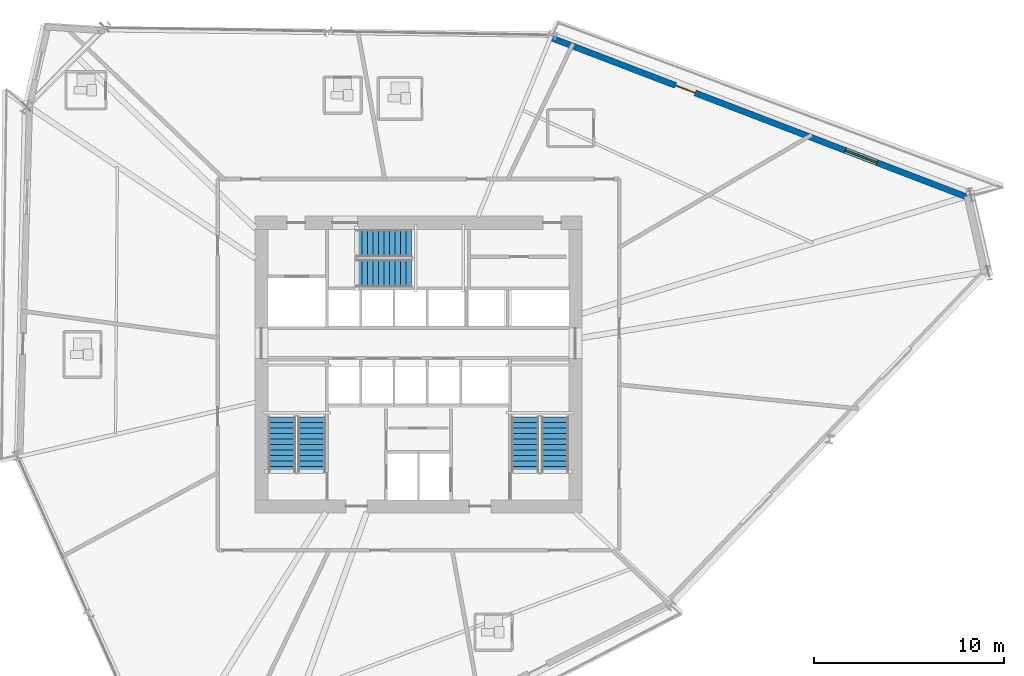
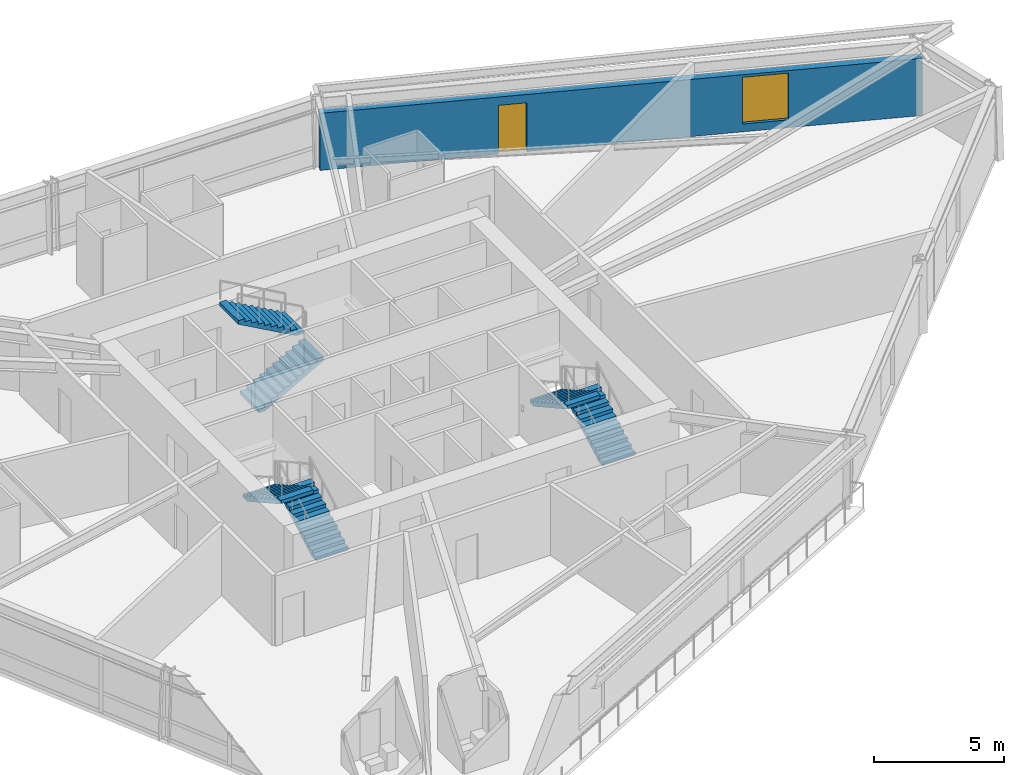
# One storey, part 17 of 22: 6 stair flights, 1 door, 1 wall, 1 window, 2 openings, 3 elements without a shape of their own.
"""IFC4 building model written with IfcOpenShell, lengths in metres."""

from ifc_helpers import new_model, si_unit, direction, frame, frame_2d, origin, place, context, subcontext, project, spatial, polyline, rectangle, outline, extrude, source, transform, mapped, material, layer, layer_set, type_object, type_shapes, element, fill, aggregate, save


model = new_model("IFC4")

# Units and contexts
model_context = context("Model", 3, precision=1e-05, world=origin(), true_north=direction((0.0, 1.0)))
body_context = subcontext(model_context, "Body", "Model", "MODEL_VIEW")
ifc_project = project(units=[si_unit("LENGTHUNIT", "METRE"), si_unit("AREAUNIT", "SQUARE_METRE"), si_unit("VOLUMEUNIT", "CUBIC_METRE"), si_unit("PLANEANGLEUNIT", "RADIAN"), si_unit("MASSUNIT", "GRAM", prefix="KILO")], contexts=[model_context])

# Site, building, storey
site_placement = place(None, origin())
site = spatial("IfcSite", under=ifc_project, at=site_placement, CompositionType="ELEMENT")
building_placement = place(site_placement, origin())
building = spatial("IfcBuilding", under=site, at=building_placement, Name="Olszyna Solenne Hotel", CompositionType="ELEMENT")
storey_placement = place(building_placement, frame((0.0, 0.0, 87.949951171875)))
storey = spatial("IfcBuildingStorey", under=building, at=storey_placement, Name="L22", CompositionType="ELEMENT", Elevation=87.949951171875)

# Wall, openings, door, window
ifc_material_1 = material(Name="Precast concrete C45/55", Category="concrete")
ifc_layer = layer(ifc_material_1, 0.320068359375, Name="Precast concrete C45/55")
ifc_layer_set = layer_set([ifc_layer], Name="Precast concrete C45/55")
wall_type = type_object("IfcWallType", Name="WL-EX320", PredefinedType="SOLIDWALL", material=ifc_layer_set)
wall_placement = place(storey_placement, frame((44.990478515625, 43.770263671875, 0.0), z_axis=(0.0, 0.0, 1.0), x_axis=(0.93383383218, -0.357707106271, 0.0)))
wall = element("IfcWall", 1, at=wall_placement, inside=storey, type_object=wall_type, Name="Exterior terracotta-precast frame wall WL-EX320 EW-L22-08", PredefinedType="SOLIDWALL", context=body_context, shape_type="SweptSolid", body=[
    extrude(rectangle(XDim=23.54345703125, YDim=0.320068359375, at=frame_2d((11.771728515625, 0.0))), origin(), (0.0, 0.0, 1.0), 2.692138671875),
])
opening_1_placement = place(wall_placement, frame((6.98388671875, 0.0, 0.0)))
opening_1 = element("IfcOpeningElement", 2, at=opening_1_placement, cuts=wall, Name="Opening LDG-L22-1", PredefinedType="OPENING", context=body_context, shape_type="SweptSolid", body=[
    extrude(rectangle(XDim=1.10009765625, YDim=2.300048828125, at=frame_2d((0.550048828125, 1.14990234375))), frame((0.0, 0.169921875, 0.0), z_axis=(0.0, -1.0, 0.0), x_axis=(1.0, 0.0, 0.0)), (0.0, 0.0, 1.0), 0.340087890625),
])
opening_2_placement = place(wall_placement, frame((16.52197265625, 0.0, 0.3720703125)))
opening_2 = element("IfcOpeningElement", 3, at=opening_2_placement, cuts=wall, Name="Opening WN-L22-118", PredefinedType="OPENING", context=body_context, shape_type="SweptSolid", body=[
    extrude(rectangle(XDim=1.800048828125, YDim=2.199951171875, at=frame_2d((0.89990234375, 1.10009765625))), frame((0.0, 0.169921875, 0.0), z_axis=(0.0, -1.0, 0.0), x_axis=(1.0, 0.0, 0.0)), (0.0, 0.0, 1.0), 0.340087890625),
])
ifc_material_2 = material(Name="Anodised bronze aluminium", Category="aluminium")
door_type = type_object("IfcDoorType", Name="DR-LG1", OperationType="NOTDEFINED", PredefinedType="DOOR", material=ifc_material_2)
shared_shape_1 = source(origin(), body_context, "Body", "SweptSolid", [
    extrude(rectangle(XDim=1.10009765625, YDim=2.300048828125, at=frame_2d((0.550048828125, 1.14990234375))), frame((0.0, 0.02490234375, 0.0), z_axis=(0.0, -1.0, 0.0), x_axis=(1.0, 0.0, 0.0)), (0.0, 0.0, 1.0), 0.050048828125),
])
type_shapes(door_type, [shared_shape_1])
door_placement = place(opening_1_placement, origin())
door = element("IfcDoor", 4, at=door_placement, inside=storey, type_object=door_type, Name="Exterior loggia balcony door DR-LG1 LDG-L22-1", OperationType="SINGLE_SWING_RIGHT", OverallHeight=2.300048828125, OverallWidth=1.10009765625, PredefinedType="DOOR", context=body_context, shape_type="MappedRepresentation", body=[
    mapped(shared_shape_1, transform((0.0, 0.0, 0.0), x_axis=(1.0, 0.0, 0.0), y_axis=(0.0, 1.0, 0.0), z_axis=(0.0, 0.0, 1.0), scale=1.0)),
])
fill(opening_1, door)
ifc_material_3 = material(Name="Low-E triple glazing", Category="glass")
window_type = type_object("IfcWindowType", Name="WN-HT1", PartitioningType="SINGLE_PANEL", PredefinedType="WINDOW", material=ifc_material_3)
shared_shape_2 = source(origin(), body_context, "Body", "SweptSolid", [
    extrude(rectangle(XDim=1.800048828125, YDim=2.199951171875, at=frame_2d((0.89990234375, 1.10009765625))), frame((0.0, 0.030029296875, 0.0), z_axis=(0.0, -1.0, 0.0), x_axis=(1.0, 0.0, 0.0)), (0.0, 0.0, 1.0), 0.06005859375),
])
type_shapes(window_type, [shared_shape_2])
window_placement = place(opening_2_placement, origin())
window = element("IfcWindow", 5, at=window_placement, inside=storey, type_object=window_type, Name="Loggia room window WN-HT1 WN-L22-118", OverallHeight=2.199951171875, OverallWidth=1.800048828125, PartitioningType="SINGLE_PANEL", PredefinedType="WINDOW", context=body_context, shape_type="MappedRepresentation", body=[
    mapped(shared_shape_2, transform((0.0, 0.0, 0.0), x_axis=(1.0, 0.0, 0.0), y_axis=(0.0, 1.0, 0.0), z_axis=(0.0, 0.0, 1.0), scale=1.0)),
])
fill(opening_2, window)

# Stair, stair flights
ifc_material_4 = material(Name="Concrete C40/50", Category="concrete")
stair_type = type_object("IfcStairType", Name="STR-C1", PredefinedType="TWO_QUARTER_WINDING_STAIR", material=ifc_material_4)
stair_1_placement = place(storey_placement, origin())
stair_1 = element("IfcStair", 6, at=stair_1_placement, inside=storey, type_object=stair_type, Name="L22 ST1", PredefinedType="TWO_QUARTER_WINDING_STAIR")
stair_flight_type = type_object("IfcStairFlightType", Name="FLT-C1", PredefinedType="STRAIGHT", material=ifc_material_4)
stair_flight_1_placement = place(storey_placement, frame((32.39501953125, 20.949951171875, 0.0), z_axis=(0.0, 0.0, 1.0), x_axis=(0.0, 1.0, 0.0)))
stair_flight_1 = element("IfcStairFlight", 7, at=stair_flight_1_placement, type_object=stair_flight_type, Name="ST1 flight 1", NumberOfRisers=11, NumberOfTreads=10, PredefinedType="STRAIGHT", RiserHeight=0.161363636, TreadLength=0.29, context=body_context, shape_type="SweptSolid", body=[
    extrude(outline(polyline([(0.0, 0.0), (0.0, 0.161376953125), (0.2900390625, 0.161376953125), (0.2900390625, 0.32275390625), (0.580078125, 0.32275390625), (0.580078125, 0.484130859375), (0.8701171875, 0.484130859375), (0.8701171875, 0.6455078125), (1.159912109375, 0.6455078125), (1.159912109375, 0.806884765625), (1.449951171875, 0.806884765625), (1.449951171875, 0.96826171875), (1.739990234375, 0.96826171875), (1.739990234375, 1.129638671875), (2.030029296875, 1.129638671875), (2.030029296875, 1.291015625), (2.320068359375, 1.291015625), (2.320068359375, 1.452392578125), (2.610107421875, 1.452392578125), (2.610107421875, 1.613525390625), (2.89990234375, 1.613525390625), (2.89990234375, 1.77490234375), (2.89990234375, 1.442138671875), (0.308349609375, 0.0), (0.0, 0.0)])), frame((0.0, 0.72509765625, 0.0), z_axis=(0.0, -1.0, 0.0), x_axis=(1.0, 0.0, 0.0)), (0.0, 0.0, 1.0), 1.449951171875),
])
stair_flight_2_placement = place(storey_placement, frame((30.824951171875, 23.85009765625, 1.775146484375), z_axis=(0.0, 0.0, 1.0), x_axis=(0.0, -1.0, 0.0)))
stair_flight_2 = element("IfcStairFlight", 8, at=stair_flight_2_placement, type_object=stair_flight_type, Name="ST1 flight 2", NumberOfRisers=11, NumberOfTreads=10, PredefinedType="STRAIGHT", RiserHeight=0.161363636, TreadLength=0.29, context=body_context, shape_type="SweptSolid", body=[
    extrude(outline(polyline([(0.0, 0.0), (0.0, 0.161376953125), (0.2900390625, 0.161376953125), (0.2900390625, 0.32275390625), (0.580078125, 0.32275390625), (0.580078125, 0.484130859375), (0.8701171875, 0.484130859375), (0.8701171875, 0.6455078125), (1.159912109375, 0.6455078125), (1.159912109375, 0.806884765625), (1.449951171875, 0.806884765625), (1.449951171875, 0.96826171875), (1.739990234375, 0.96826171875), (1.739990234375, 1.129638671875), (2.030029296875, 1.129638671875), (2.030029296875, 1.291015625), (2.320068359375, 1.291015625), (2.320068359375, 1.452392578125), (2.610107421875, 1.452392578125), (2.610107421875, 1.613525390625), (2.89990234375, 1.613525390625), (2.89990234375, 1.77490234375), (2.89990234375, 1.442138671875), (0.308349609375, 0.0), (0.0, 0.0)])), frame((0.0, 0.72509765625, 0.0), z_axis=(0.0, -1.0, 0.0), x_axis=(1.0, 0.0, 0.0)), (0.0, 0.0, 1.0), 1.449951171875),
])
aggregate(stair_1, [stair_flight_1, stair_flight_2])

stair_2_placement = place(storey_placement, origin())
stair_2 = element("IfcStair", 9, at=stair_2_placement, inside=storey, type_object=stair_type, Name="L22 ST2", PredefinedType="TWO_QUARTER_WINDING_STAIR")
stair_flight_3_placement = place(storey_placement, frame((45.175048828125, 20.949951171875, 0.0), z_axis=(0.0, 0.0, 1.0), x_axis=(0.0, 1.0, 0.0)))
stair_flight_3 = element("IfcStairFlight", 10, at=stair_flight_3_placement, type_object=stair_flight_type, Name="ST2 flight 1", NumberOfRisers=11, NumberOfTreads=10, PredefinedType="STRAIGHT", RiserHeight=0.161363636, TreadLength=0.29, context=body_context, shape_type="SweptSolid", body=[
    extrude(outline(polyline([(0.0, 0.0), (0.0, 0.161376953125), (0.2900390625, 0.161376953125), (0.2900390625, 0.32275390625), (0.580078125, 0.32275390625), (0.580078125, 0.484130859375), (0.8701171875, 0.484130859375), (0.8701171875, 0.6455078125), (1.159912109375, 0.6455078125), (1.159912109375, 0.806884765625), (1.449951171875, 0.806884765625), (1.449951171875, 0.96826171875), (1.739990234375, 0.96826171875), (1.739990234375, 1.129638671875), (2.030029296875, 1.129638671875), (2.030029296875, 1.291015625), (2.320068359375, 1.291015625), (2.320068359375, 1.452392578125), (2.610107421875, 1.452392578125), (2.610107421875, 1.613525390625), (2.89990234375, 1.613525390625), (2.89990234375, 1.77490234375), (2.89990234375, 1.442138671875), (0.308349609375, 0.0), (0.0, 0.0)])), frame((0.0, 0.72509765625, 0.0), z_axis=(0.0, -1.0, 0.0), x_axis=(1.0, 0.0, 0.0)), (0.0, 0.0, 1.0), 1.449951171875),
])
stair_flight_4_placement = place(storey_placement, frame((43.60498046875, 23.85009765625, 1.775146484375), z_axis=(0.0, 0.0, 1.0), x_axis=(0.0, -1.0, 0.0)))
stair_flight_4 = element("IfcStairFlight", 11, at=stair_flight_4_placement, type_object=stair_flight_type, Name="ST2 flight 2", NumberOfRisers=11, NumberOfTreads=10, PredefinedType="STRAIGHT", RiserHeight=0.161363636, TreadLength=0.29, context=body_context, shape_type="SweptSolid", body=[
    extrude(outline(polyline([(0.0, 0.0), (0.0, 0.161376953125), (0.2900390625, 0.161376953125), (0.2900390625, 0.32275390625), (0.580078125, 0.32275390625), (0.580078125, 0.484130859375), (0.8701171875, 0.484130859375), (0.8701171875, 0.6455078125), (1.159912109375, 0.6455078125), (1.159912109375, 0.806884765625), (1.449951171875, 0.806884765625), (1.449951171875, 0.96826171875), (1.739990234375, 0.96826171875), (1.739990234375, 1.129638671875), (2.030029296875, 1.129638671875), (2.030029296875, 1.291015625), (2.320068359375, 1.291015625), (2.320068359375, 1.452392578125), (2.610107421875, 1.452392578125), (2.610107421875, 1.613525390625), (2.89990234375, 1.613525390625), (2.89990234375, 1.77490234375), (2.89990234375, 1.442138671875), (0.308349609375, 0.0), (0.0, 0.0)])), frame((0.0, 0.72509765625, 0.0), z_axis=(0.0, -1.0, 0.0), x_axis=(1.0, 0.0, 0.0)), (0.0, 0.0, 1.0), 1.449951171875),
])
aggregate(stair_2, [stair_flight_3, stair_flight_4])

stair_3_placement = place(storey_placement, origin())
stair_3 = element("IfcStair", 12, at=stair_3_placement, inside=storey, type_object=stair_type, Name="L22 ST3", PredefinedType="TWO_QUARTER_WINDING_STAIR")
stair_flight_5_placement = place(storey_placement, frame((34.72998046875, 31.405029296875, 0.0), z_axis=(0.0, 0.0, 1.0), x_axis=(1.0, 0.0, 0.0)))
stair_flight_5 = element("IfcStairFlight", 13, at=stair_flight_5_placement, type_object=stair_flight_type, Name="ST3 flight 1", NumberOfRisers=11, NumberOfTreads=10, PredefinedType="STRAIGHT", RiserHeight=0.161363636, TreadLength=0.29, context=body_context, shape_type="SweptSolid", body=[
    extrude(outline(polyline([(0.0, 0.0), (0.0, 0.161376953125), (0.2900390625, 0.161376953125), (0.2900390625, 0.32275390625), (0.580078125, 0.32275390625), (0.580078125, 0.484130859375), (0.8701171875, 0.484130859375), (0.8701171875, 0.6455078125), (1.159912109375, 0.6455078125), (1.159912109375, 0.806884765625), (1.449951171875, 0.806884765625), (1.449951171875, 0.96826171875), (1.739990234375, 0.96826171875), (1.739990234375, 1.129638671875), (2.030029296875, 1.129638671875), (2.030029296875, 1.291015625), (2.320068359375, 1.291015625), (2.320068359375, 1.452392578125), (2.610107421875, 1.452392578125), (2.610107421875, 1.613525390625), (2.89990234375, 1.613525390625), (2.89990234375, 1.77490234375), (2.89990234375, 1.442138671875), (0.308349609375, 0.0), (0.0, 0.0)])), frame((0.0, 0.72509765625, 0.0), z_axis=(0.0, -1.0, 0.0), x_axis=(1.0, 0.0, 0.0)), (0.0, 0.0, 1.0), 1.449951171875),
])
stair_flight_6_placement = place(storey_placement, frame((37.6298828125, 32.97509765625, 1.775146484375), z_axis=(0.0, 0.0, 1.0), x_axis=(-1.0, 0.0, 0.0)))
stair_flight_6 = element("IfcStairFlight", 14, at=stair_flight_6_placement, type_object=stair_flight_type, Name="ST3 flight 2", NumberOfRisers=11, NumberOfTreads=10, PredefinedType="STRAIGHT", RiserHeight=0.161363636, TreadLength=0.29, context=body_context, shape_type="SweptSolid", body=[
    extrude(outline(polyline([(0.0, 0.0), (0.0, 0.161376953125), (0.2900390625, 0.161376953125), (0.2900390625, 0.32275390625), (0.580078125, 0.32275390625), (0.580078125, 0.484130859375), (0.8701171875, 0.484130859375), (0.8701171875, 0.6455078125), (1.159912109375, 0.6455078125), (1.159912109375, 0.806884765625), (1.449951171875, 0.806884765625), (1.449951171875, 0.96826171875), (1.739990234375, 0.96826171875), (1.739990234375, 1.129638671875), (2.030029296875, 1.129638671875), (2.030029296875, 1.291015625), (2.320068359375, 1.291015625), (2.320068359375, 1.452392578125), (2.610107421875, 1.452392578125), (2.610107421875, 1.613525390625), (2.89990234375, 1.613525390625), (2.89990234375, 1.77490234375), (2.89990234375, 1.442138671875), (0.308349609375, 0.0), (0.0, 0.0)])), frame((0.0, 0.72509765625, 0.0), z_axis=(0.0, -1.0, 0.0), x_axis=(1.0, 0.0, 0.0)), (0.0, 0.0, 1.0), 1.449951171875),
])
aggregate(stair_3, [stair_flight_5, stair_flight_6])

save(model, "model.ifc")
